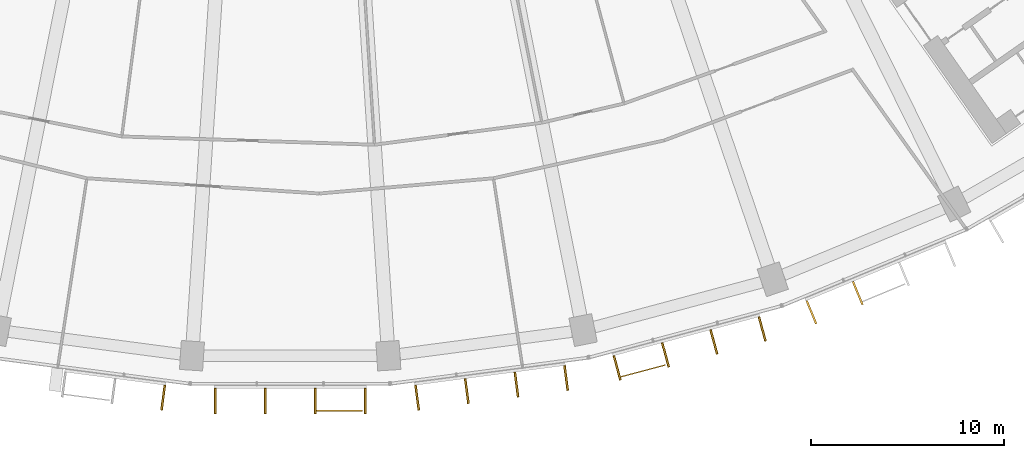
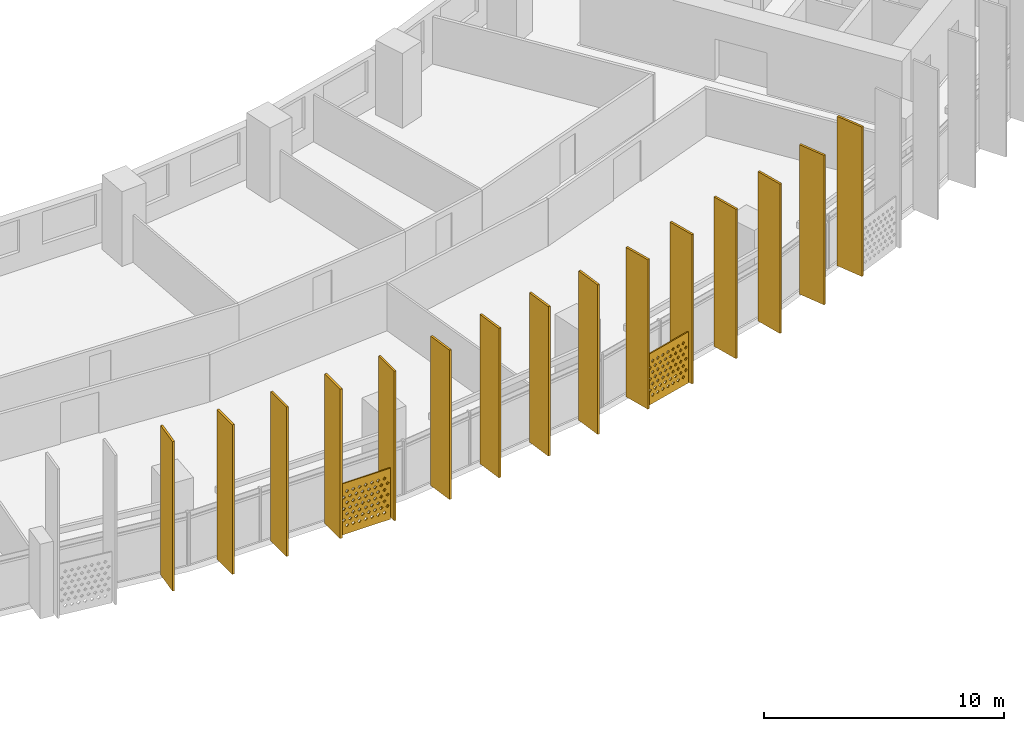
# One storey, part 27 of 30: 17 shading devices.
"""IFC4 building model written with IfcOpenShell, lengths in metres."""

from ifc_helpers import new_model, si_unit, direction, frame, origin, origin_2d, place, context, subcontext, project, spatial, polyline, rectangle, outline, extrude, material, material_profile, profile_set, type_object, element, save


model = new_model("IFC4")

# Units and contexts
model_context = context("Model", 3, precision=1e-05, world=origin(), true_north=direction((0.0, 1.0)))
body_context = subcontext(model_context, "Body", "Model", "MODEL_VIEW")
ifc_project = project(units=[si_unit("LENGTHUNIT", "METRE"), si_unit("AREAUNIT", "SQUARE_METRE"), si_unit("VOLUMEUNIT", "CUBIC_METRE"), si_unit("PLANEANGLEUNIT", "RADIAN"), si_unit("MASSUNIT", "GRAM", prefix="KILO")], contexts=[model_context])

# Site, building, storey
site_placement = place(None, origin())
site = spatial("IfcSite", under=ifc_project, at=site_placement, CompositionType="ELEMENT")
building_placement = place(site_placement, origin())
building = spatial("IfcBuilding", under=site, at=building_placement, Name="Qamariyya Broadcast Tower", CompositionType="ELEMENT")
storey_placement = place(building_placement, frame((0.0, 0.0, 102.5)))
storey = spatial("IfcBuildingStorey", under=building, at=storey_placement, Name="L22", CompositionType="ELEMENT", Elevation=102.5)

# Shading devices
ifc_material_1 = material(Name="Perforated glazed terracotta", Category="masonry")
ifc_material_profile_1 = material_profile(ifc_material_1, outline(polyline([(-1.199951171875, -1.300048828125), (1.199951171875, -1.300048828125), (1.199951171875, 1.300048828125), (-1.199951171875, 1.300048828125), (-1.199951171875, -1.300048828125)]), holes=[polyline([(-0.81494140625, -0.86669921875), (-0.89990234375, -0.78173828125), (-0.985107421875, -0.86669921875), (-0.89990234375, -0.95166015625), (-0.81494140625, -0.86669921875)]), polyline([(-0.514892578125, -0.86669921875), (-0.60009765625, -0.78173828125), (-0.68505859375, -0.86669921875), (-0.60009765625, -0.95166015625), (-0.514892578125, -0.86669921875)]), polyline([(-0.215087890625, -0.86669921875), (-0.300048828125, -0.78173828125), (-0.385009765625, -0.86669921875), (-0.300048828125, -0.95166015625), (-0.215087890625, -0.86669921875)]), polyline([(0.0849609375, -0.86669921875), (0.0, -0.78173828125), (-0.0849609375, -0.86669921875), (0.0, -0.95166015625), (0.0849609375, -0.86669921875)]), polyline([(0.385009765625, -0.86669921875), (0.300048828125, -0.78173828125), (0.215087890625, -0.86669921875), (0.300048828125, -0.95166015625), (0.385009765625, -0.86669921875)]), polyline([(0.68505859375, -0.86669921875), (0.60009765625, -0.78173828125), (0.514892578125, -0.86669921875), (0.60009765625, -0.95166015625), (0.68505859375, -0.86669921875)]), polyline([(0.985107421875, -0.86669921875), (0.89990234375, -0.78173828125), (0.81494140625, -0.86669921875), (0.89990234375, -0.95166015625), (0.985107421875, -0.86669921875)]), polyline([(-0.965087890625, -0.577880859375), (-1.050048828125, -0.49267578125), (-1.135009765625, -0.577880859375), (-1.050048828125, -0.662841796875), (-0.965087890625, -0.577880859375)]), polyline([(-0.6650390625, -0.577880859375), (-0.75, -0.49267578125), (-0.8349609375, -0.577880859375), (-0.75, -0.662841796875), (-0.6650390625, -0.577880859375)]), polyline([(-0.364990234375, -0.577880859375), (-0.449951171875, -0.49267578125), (-0.534912109375, -0.577880859375), (-0.449951171875, -0.662841796875), (-0.364990234375, -0.577880859375)]), polyline([(-0.06494140625, -0.577880859375), (-0.14990234375, -0.49267578125), (-0.235107421875, -0.577880859375), (-0.14990234375, -0.662841796875), (-0.06494140625, -0.577880859375)]), polyline([(0.235107421875, -0.577880859375), (0.14990234375, -0.49267578125), (0.06494140625, -0.577880859375), (0.14990234375, -0.662841796875), (0.235107421875, -0.577880859375)]), polyline([(0.534912109375, -0.577880859375), (0.449951171875, -0.49267578125), (0.364990234375, -0.577880859375), (0.449951171875, -0.662841796875), (0.534912109375, -0.577880859375)]), polyline([(0.8349609375, -0.577880859375), (0.75, -0.49267578125), (0.6650390625, -0.577880859375), (0.75, -0.662841796875), (0.8349609375, -0.577880859375)]), polyline([(1.135009765625, -0.577880859375), (1.050048828125, -0.49267578125), (0.965087890625, -0.577880859375), (1.050048828125, -0.662841796875), (1.135009765625, -0.577880859375)]), polyline([(-0.81494140625, -0.288818359375), (-0.89990234375, -0.203857421875), (-0.985107421875, -0.288818359375), (-0.89990234375, -0.373779296875), (-0.81494140625, -0.288818359375)]), polyline([(-0.514892578125, -0.288818359375), (-0.60009765625, -0.203857421875), (-0.68505859375, -0.288818359375), (-0.60009765625, -0.373779296875), (-0.514892578125, -0.288818359375)]), polyline([(-0.215087890625, -0.288818359375), (-0.300048828125, -0.203857421875), (-0.385009765625, -0.288818359375), (-0.300048828125, -0.373779296875), (-0.215087890625, -0.288818359375)]), polyline([(0.0849609375, -0.288818359375), (0.0, -0.203857421875), (-0.0849609375, -0.288818359375), (0.0, -0.373779296875), (0.0849609375, -0.288818359375)]), polyline([(0.385009765625, -0.288818359375), (0.300048828125, -0.203857421875), (0.215087890625, -0.288818359375), (0.300048828125, -0.373779296875), (0.385009765625, -0.288818359375)]), polyline([(0.68505859375, -0.288818359375), (0.60009765625, -0.203857421875), (0.514892578125, -0.288818359375), (0.60009765625, -0.373779296875), (0.68505859375, -0.288818359375)]), polyline([(0.985107421875, -0.288818359375), (0.89990234375, -0.203857421875), (0.81494140625, -0.288818359375), (0.89990234375, -0.373779296875), (0.985107421875, -0.288818359375)]), polyline([(-0.965087890625, 0.0), (-1.050048828125, 0.0849609375), (-1.135009765625, 0.0), (-1.050048828125, -0.0849609375), (-0.965087890625, 0.0)]), polyline([(-0.6650390625, 0.0), (-0.75, 0.0849609375), (-0.8349609375, 0.0), (-0.75, -0.0849609375), (-0.6650390625, 0.0)]), polyline([(-0.364990234375, 0.0), (-0.449951171875, 0.0849609375), (-0.534912109375, 0.0), (-0.449951171875, -0.0849609375), (-0.364990234375, 0.0)]), polyline([(-0.06494140625, 0.0), (-0.14990234375, 0.0849609375), (-0.235107421875, 0.0), (-0.14990234375, -0.0849609375), (-0.06494140625, 0.0)]), polyline([(0.235107421875, 0.0), (0.14990234375, 0.0849609375), (0.06494140625, 0.0), (0.14990234375, -0.0849609375), (0.235107421875, 0.0)]), polyline([(0.534912109375, 0.0), (0.449951171875, 0.0849609375), (0.364990234375, 0.0), (0.449951171875, -0.0849609375), (0.534912109375, 0.0)]), polyline([(0.8349609375, 0.0), (0.75, 0.0849609375), (0.6650390625, 0.0), (0.75, -0.0849609375), (0.8349609375, 0.0)]), polyline([(1.135009765625, 0.0), (1.050048828125, 0.0849609375), (0.965087890625, 0.0), (1.050048828125, -0.0849609375), (1.135009765625, 0.0)]), polyline([(-0.81494140625, 0.288818359375), (-0.89990234375, 0.373779296875), (-0.985107421875, 0.288818359375), (-0.89990234375, 0.203857421875), (-0.81494140625, 0.288818359375)]), polyline([(-0.514892578125, 0.288818359375), (-0.60009765625, 0.373779296875), (-0.68505859375, 0.288818359375), (-0.60009765625, 0.203857421875), (-0.514892578125, 0.288818359375)]), polyline([(-0.215087890625, 0.288818359375), (-0.300048828125, 0.373779296875), (-0.385009765625, 0.288818359375), (-0.300048828125, 0.203857421875), (-0.215087890625, 0.288818359375)]), polyline([(0.0849609375, 0.288818359375), (0.0, 0.373779296875), (-0.0849609375, 0.288818359375), (0.0, 0.203857421875), (0.0849609375, 0.288818359375)]), polyline([(0.385009765625, 0.288818359375), (0.300048828125, 0.373779296875), (0.215087890625, 0.288818359375), (0.300048828125, 0.203857421875), (0.385009765625, 0.288818359375)]), polyline([(0.68505859375, 0.288818359375), (0.60009765625, 0.373779296875), (0.514892578125, 0.288818359375), (0.60009765625, 0.203857421875), (0.68505859375, 0.288818359375)]), polyline([(0.985107421875, 0.288818359375), (0.89990234375, 0.373779296875), (0.81494140625, 0.288818359375), (0.89990234375, 0.203857421875), (0.985107421875, 0.288818359375)]), polyline([(-0.965087890625, 0.577880859375), (-1.050048828125, 0.662841796875), (-1.135009765625, 0.577880859375), (-1.050048828125, 0.49267578125), (-0.965087890625, 0.577880859375)]), polyline([(-0.6650390625, 0.577880859375), (-0.75, 0.662841796875), (-0.8349609375, 0.577880859375), (-0.75, 0.49267578125), (-0.6650390625, 0.577880859375)]), polyline([(-0.364990234375, 0.577880859375), (-0.449951171875, 0.662841796875), (-0.534912109375, 0.577880859375), (-0.449951171875, 0.49267578125), (-0.364990234375, 0.577880859375)]), polyline([(-0.06494140625, 0.577880859375), (-0.14990234375, 0.662841796875), (-0.235107421875, 0.577880859375), (-0.14990234375, 0.49267578125), (-0.06494140625, 0.577880859375)]), polyline([(0.235107421875, 0.577880859375), (0.14990234375, 0.662841796875), (0.06494140625, 0.577880859375), (0.14990234375, 0.49267578125), (0.235107421875, 0.577880859375)]), polyline([(0.534912109375, 0.577880859375), (0.449951171875, 0.662841796875), (0.364990234375, 0.577880859375), (0.449951171875, 0.49267578125), (0.534912109375, 0.577880859375)]), polyline([(0.8349609375, 0.577880859375), (0.75, 0.662841796875), (0.6650390625, 0.577880859375), (0.75, 0.49267578125), (0.8349609375, 0.577880859375)]), polyline([(1.135009765625, 0.577880859375), (1.050048828125, 0.662841796875), (0.965087890625, 0.577880859375), (1.050048828125, 0.49267578125), (1.135009765625, 0.577880859375)]), polyline([(-0.81494140625, 0.86669921875), (-0.89990234375, 0.95166015625), (-0.985107421875, 0.86669921875), (-0.89990234375, 0.78173828125), (-0.81494140625, 0.86669921875)]), polyline([(-0.514892578125, 0.86669921875), (-0.60009765625, 0.95166015625), (-0.68505859375, 0.86669921875), (-0.60009765625, 0.78173828125), (-0.514892578125, 0.86669921875)]), polyline([(-0.215087890625, 0.86669921875), (-0.300048828125, 0.95166015625), (-0.385009765625, 0.86669921875), (-0.300048828125, 0.78173828125), (-0.215087890625, 0.86669921875)]), polyline([(0.0849609375, 0.86669921875), (0.0, 0.95166015625), (-0.0849609375, 0.86669921875), (0.0, 0.78173828125), (0.0849609375, 0.86669921875)]), polyline([(0.385009765625, 0.86669921875), (0.300048828125, 0.95166015625), (0.215087890625, 0.86669921875), (0.300048828125, 0.78173828125), (0.385009765625, 0.86669921875)]), polyline([(0.68505859375, 0.86669921875), (0.60009765625, 0.95166015625), (0.514892578125, 0.86669921875), (0.60009765625, 0.78173828125), (0.68505859375, 0.86669921875)]), polyline([(0.985107421875, 0.86669921875), (0.89990234375, 0.95166015625), (0.81494140625, 0.86669921875), (0.89990234375, 0.78173828125), (0.985107421875, 0.86669921875)])]))
ifc_profile_set_1 = profile_set([ifc_material_profile_1], Name="Perforated glazed terracotta")
shading_device_type_1 = type_object("IfcShadingDeviceType", Name="Perforated terracotta screen 2400 x 2600", PredefinedType="USERDEFINED", material=ifc_profile_set_1)
shading_device_1_placement = place(storey_placement, frame((2.546630859375, -80.400146484375, 1.35009765625), z_axis=(0.0, -1.0, 0.0), x_axis=(1.0, 0.0, 0.0)))
element("IfcShadingDevice", 1, at=shading_device_1_placement, inside=storey, type_object=shading_device_type_1, Name="e-scr-L22-09-2", ObjectType="SCREEN", PredefinedType="USERDEFINED", context=body_context, shape_type="SweptSolid", body=[
    extrude(outline(polyline([(-1.199951171875, -1.300048828125), (1.199951171875, -1.300048828125), (1.199951171875, 1.300048828125), (-1.199951171875, 1.300048828125), (-1.199951171875, -1.300048828125)]), holes=[polyline([(-0.81494140625, -0.86669921875), (-0.89990234375, -0.78173828125), (-0.985107421875, -0.86669921875), (-0.89990234375, -0.95166015625), (-0.81494140625, -0.86669921875)]), polyline([(-0.514892578125, -0.86669921875), (-0.60009765625, -0.78173828125), (-0.68505859375, -0.86669921875), (-0.60009765625, -0.95166015625), (-0.514892578125, -0.86669921875)]), polyline([(-0.215087890625, -0.86669921875), (-0.300048828125, -0.78173828125), (-0.385009765625, -0.86669921875), (-0.300048828125, -0.95166015625), (-0.215087890625, -0.86669921875)]), polyline([(0.0849609375, -0.86669921875), (0.0, -0.78173828125), (-0.0849609375, -0.86669921875), (0.0, -0.95166015625), (0.0849609375, -0.86669921875)]), polyline([(0.385009765625, -0.86669921875), (0.300048828125, -0.78173828125), (0.215087890625, -0.86669921875), (0.300048828125, -0.95166015625), (0.385009765625, -0.86669921875)]), polyline([(0.68505859375, -0.86669921875), (0.60009765625, -0.78173828125), (0.514892578125, -0.86669921875), (0.60009765625, -0.95166015625), (0.68505859375, -0.86669921875)]), polyline([(0.985107421875, -0.86669921875), (0.89990234375, -0.78173828125), (0.81494140625, -0.86669921875), (0.89990234375, -0.95166015625), (0.985107421875, -0.86669921875)]), polyline([(-0.965087890625, -0.577880859375), (-1.050048828125, -0.49267578125), (-1.135009765625, -0.577880859375), (-1.050048828125, -0.662841796875), (-0.965087890625, -0.577880859375)]), polyline([(-0.6650390625, -0.577880859375), (-0.75, -0.49267578125), (-0.8349609375, -0.577880859375), (-0.75, -0.662841796875), (-0.6650390625, -0.577880859375)]), polyline([(-0.364990234375, -0.577880859375), (-0.449951171875, -0.49267578125), (-0.534912109375, -0.577880859375), (-0.449951171875, -0.662841796875), (-0.364990234375, -0.577880859375)]), polyline([(-0.06494140625, -0.577880859375), (-0.14990234375, -0.49267578125), (-0.235107421875, -0.577880859375), (-0.14990234375, -0.662841796875), (-0.06494140625, -0.577880859375)]), polyline([(0.235107421875, -0.577880859375), (0.14990234375, -0.49267578125), (0.06494140625, -0.577880859375), (0.14990234375, -0.662841796875), (0.235107421875, -0.577880859375)]), polyline([(0.534912109375, -0.577880859375), (0.449951171875, -0.49267578125), (0.364990234375, -0.577880859375), (0.449951171875, -0.662841796875), (0.534912109375, -0.577880859375)]), polyline([(0.8349609375, -0.577880859375), (0.75, -0.49267578125), (0.6650390625, -0.577880859375), (0.75, -0.662841796875), (0.8349609375, -0.577880859375)]), polyline([(1.135009765625, -0.577880859375), (1.050048828125, -0.49267578125), (0.965087890625, -0.577880859375), (1.050048828125, -0.662841796875), (1.135009765625, -0.577880859375)]), polyline([(-0.81494140625, -0.288818359375), (-0.89990234375, -0.203857421875), (-0.985107421875, -0.288818359375), (-0.89990234375, -0.373779296875), (-0.81494140625, -0.288818359375)]), polyline([(-0.514892578125, -0.288818359375), (-0.60009765625, -0.203857421875), (-0.68505859375, -0.288818359375), (-0.60009765625, -0.373779296875), (-0.514892578125, -0.288818359375)]), polyline([(-0.215087890625, -0.288818359375), (-0.300048828125, -0.203857421875), (-0.385009765625, -0.288818359375), (-0.300048828125, -0.373779296875), (-0.215087890625, -0.288818359375)]), polyline([(0.0849609375, -0.288818359375), (0.0, -0.203857421875), (-0.0849609375, -0.288818359375), (0.0, -0.373779296875), (0.0849609375, -0.288818359375)]), polyline([(0.385009765625, -0.288818359375), (0.300048828125, -0.203857421875), (0.215087890625, -0.288818359375), (0.300048828125, -0.373779296875), (0.385009765625, -0.288818359375)]), polyline([(0.68505859375, -0.288818359375), (0.60009765625, -0.203857421875), (0.514892578125, -0.288818359375), (0.60009765625, -0.373779296875), (0.68505859375, -0.288818359375)]), polyline([(0.985107421875, -0.288818359375), (0.89990234375, -0.203857421875), (0.81494140625, -0.288818359375), (0.89990234375, -0.373779296875), (0.985107421875, -0.288818359375)]), polyline([(-0.965087890625, 0.0), (-1.050048828125, 0.0849609375), (-1.135009765625, 0.0), (-1.050048828125, -0.0849609375), (-0.965087890625, 0.0)]), polyline([(-0.6650390625, 0.0), (-0.75, 0.0849609375), (-0.8349609375, 0.0), (-0.75, -0.0849609375), (-0.6650390625, 0.0)]), polyline([(-0.364990234375, 0.0), (-0.449951171875, 0.0849609375), (-0.534912109375, 0.0), (-0.449951171875, -0.0849609375), (-0.364990234375, 0.0)]), polyline([(-0.06494140625, 0.0), (-0.14990234375, 0.0849609375), (-0.235107421875, 0.0), (-0.14990234375, -0.0849609375), (-0.06494140625, 0.0)]), polyline([(0.235107421875, 0.0), (0.14990234375, 0.0849609375), (0.06494140625, 0.0), (0.14990234375, -0.0849609375), (0.235107421875, 0.0)]), polyline([(0.534912109375, 0.0), (0.449951171875, 0.0849609375), (0.364990234375, 0.0), (0.449951171875, -0.0849609375), (0.534912109375, 0.0)]), polyline([(0.8349609375, 0.0), (0.75, 0.0849609375), (0.6650390625, 0.0), (0.75, -0.0849609375), (0.8349609375, 0.0)]), polyline([(1.135009765625, 0.0), (1.050048828125, 0.0849609375), (0.965087890625, 0.0), (1.050048828125, -0.0849609375), (1.135009765625, 0.0)]), polyline([(-0.81494140625, 0.288818359375), (-0.89990234375, 0.373779296875), (-0.985107421875, 0.288818359375), (-0.89990234375, 0.203857421875), (-0.81494140625, 0.288818359375)]), polyline([(-0.514892578125, 0.288818359375), (-0.60009765625, 0.373779296875), (-0.68505859375, 0.288818359375), (-0.60009765625, 0.203857421875), (-0.514892578125, 0.288818359375)]), polyline([(-0.215087890625, 0.288818359375), (-0.300048828125, 0.373779296875), (-0.385009765625, 0.288818359375), (-0.300048828125, 0.203857421875), (-0.215087890625, 0.288818359375)]), polyline([(0.0849609375, 0.288818359375), (0.0, 0.373779296875), (-0.0849609375, 0.288818359375), (0.0, 0.203857421875), (0.0849609375, 0.288818359375)]), polyline([(0.385009765625, 0.288818359375), (0.300048828125, 0.373779296875), (0.215087890625, 0.288818359375), (0.300048828125, 0.203857421875), (0.385009765625, 0.288818359375)]), polyline([(0.68505859375, 0.288818359375), (0.60009765625, 0.373779296875), (0.514892578125, 0.288818359375), (0.60009765625, 0.203857421875), (0.68505859375, 0.288818359375)]), polyline([(0.985107421875, 0.288818359375), (0.89990234375, 0.373779296875), (0.81494140625, 0.288818359375), (0.89990234375, 0.203857421875), (0.985107421875, 0.288818359375)]), polyline([(-0.965087890625, 0.577880859375), (-1.050048828125, 0.662841796875), (-1.135009765625, 0.577880859375), (-1.050048828125, 0.49267578125), (-0.965087890625, 0.577880859375)]), polyline([(-0.6650390625, 0.577880859375), (-0.75, 0.662841796875), (-0.8349609375, 0.577880859375), (-0.75, 0.49267578125), (-0.6650390625, 0.577880859375)]), polyline([(-0.364990234375, 0.577880859375), (-0.449951171875, 0.662841796875), (-0.534912109375, 0.577880859375), (-0.449951171875, 0.49267578125), (-0.364990234375, 0.577880859375)]), polyline([(-0.06494140625, 0.577880859375), (-0.14990234375, 0.662841796875), (-0.235107421875, 0.577880859375), (-0.14990234375, 0.49267578125), (-0.06494140625, 0.577880859375)]), polyline([(0.235107421875, 0.577880859375), (0.14990234375, 0.662841796875), (0.06494140625, 0.577880859375), (0.14990234375, 0.49267578125), (0.235107421875, 0.577880859375)]), polyline([(0.534912109375, 0.577880859375), (0.449951171875, 0.662841796875), (0.364990234375, 0.577880859375), (0.449951171875, 0.49267578125), (0.534912109375, 0.577880859375)]), polyline([(0.8349609375, 0.577880859375), (0.75, 0.662841796875), (0.6650390625, 0.577880859375), (0.75, 0.49267578125), (0.8349609375, 0.577880859375)]), polyline([(1.135009765625, 0.577880859375), (1.050048828125, 0.662841796875), (0.965087890625, 0.577880859375), (1.050048828125, 0.49267578125), (1.135009765625, 0.577880859375)]), polyline([(-0.81494140625, 0.86669921875), (-0.89990234375, 0.95166015625), (-0.985107421875, 0.86669921875), (-0.89990234375, 0.78173828125), (-0.81494140625, 0.86669921875)]), polyline([(-0.514892578125, 0.86669921875), (-0.60009765625, 0.95166015625), (-0.68505859375, 0.86669921875), (-0.60009765625, 0.78173828125), (-0.514892578125, 0.86669921875)]), polyline([(-0.215087890625, 0.86669921875), (-0.300048828125, 0.95166015625), (-0.385009765625, 0.86669921875), (-0.300048828125, 0.78173828125), (-0.215087890625, 0.86669921875)]), polyline([(0.0849609375, 0.86669921875), (0.0, 0.95166015625), (-0.0849609375, 0.86669921875), (0.0, 0.78173828125), (0.0849609375, 0.86669921875)]), polyline([(0.385009765625, 0.86669921875), (0.300048828125, 0.95166015625), (0.215087890625, 0.86669921875), (0.300048828125, 0.78173828125), (0.385009765625, 0.86669921875)]), polyline([(0.68505859375, 0.86669921875), (0.60009765625, 0.95166015625), (0.514892578125, 0.86669921875), (0.60009765625, 0.78173828125), (0.68505859375, 0.86669921875)]), polyline([(0.985107421875, 0.86669921875), (0.89990234375, 0.95166015625), (0.81494140625, 0.86669921875), (0.89990234375, 0.78173828125), (0.985107421875, 0.86669921875)])]), origin(), (0.0, 0.0, 1.0), 0.06005859375),
])
shading_device_2_placement = place(storey_placement, frame((18.25927734375, -78.343994140625, 1.35009765625), z_axis=(0.256901156343, -0.966437683387, 0.0), x_axis=(0.966437683387, 0.256901156343, 0.0)))
element("IfcShadingDevice", 2, at=shading_device_2_placement, inside=storey, type_object=shading_device_type_1, Name="e-scr-L22-11-0", ObjectType="SCREEN", PredefinedType="USERDEFINED", context=body_context, shape_type="SweptSolid", body=[
    extrude(outline(polyline([(-1.199951171875, -1.300048828125), (1.199951171875, -1.300048828125), (1.199951171875, 1.300048828125), (-1.199951171875, 1.300048828125), (-1.199951171875, -1.300048828125)]), holes=[polyline([(-0.81494140625, -0.86669921875), (-0.89990234375, -0.78173828125), (-0.985107421875, -0.86669921875), (-0.89990234375, -0.95166015625), (-0.81494140625, -0.86669921875)]), polyline([(-0.514892578125, -0.86669921875), (-0.60009765625, -0.78173828125), (-0.68505859375, -0.86669921875), (-0.60009765625, -0.95166015625), (-0.514892578125, -0.86669921875)]), polyline([(-0.215087890625, -0.86669921875), (-0.300048828125, -0.78173828125), (-0.385009765625, -0.86669921875), (-0.300048828125, -0.95166015625), (-0.215087890625, -0.86669921875)]), polyline([(0.0849609375, -0.86669921875), (0.0, -0.78173828125), (-0.0849609375, -0.86669921875), (0.0, -0.95166015625), (0.0849609375, -0.86669921875)]), polyline([(0.385009765625, -0.86669921875), (0.300048828125, -0.78173828125), (0.215087890625, -0.86669921875), (0.300048828125, -0.95166015625), (0.385009765625, -0.86669921875)]), polyline([(0.68505859375, -0.86669921875), (0.60009765625, -0.78173828125), (0.514892578125, -0.86669921875), (0.60009765625, -0.95166015625), (0.68505859375, -0.86669921875)]), polyline([(0.985107421875, -0.86669921875), (0.89990234375, -0.78173828125), (0.81494140625, -0.86669921875), (0.89990234375, -0.95166015625), (0.985107421875, -0.86669921875)]), polyline([(-0.965087890625, -0.577880859375), (-1.050048828125, -0.49267578125), (-1.135009765625, -0.577880859375), (-1.050048828125, -0.662841796875), (-0.965087890625, -0.577880859375)]), polyline([(-0.6650390625, -0.577880859375), (-0.75, -0.49267578125), (-0.8349609375, -0.577880859375), (-0.75, -0.662841796875), (-0.6650390625, -0.577880859375)]), polyline([(-0.364990234375, -0.577880859375), (-0.449951171875, -0.49267578125), (-0.534912109375, -0.577880859375), (-0.449951171875, -0.662841796875), (-0.364990234375, -0.577880859375)]), polyline([(-0.06494140625, -0.577880859375), (-0.14990234375, -0.49267578125), (-0.235107421875, -0.577880859375), (-0.14990234375, -0.662841796875), (-0.06494140625, -0.577880859375)]), polyline([(0.235107421875, -0.577880859375), (0.14990234375, -0.49267578125), (0.06494140625, -0.577880859375), (0.14990234375, -0.662841796875), (0.235107421875, -0.577880859375)]), polyline([(0.534912109375, -0.577880859375), (0.449951171875, -0.49267578125), (0.364990234375, -0.577880859375), (0.449951171875, -0.662841796875), (0.534912109375, -0.577880859375)]), polyline([(0.8349609375, -0.577880859375), (0.75, -0.49267578125), (0.6650390625, -0.577880859375), (0.75, -0.662841796875), (0.8349609375, -0.577880859375)]), polyline([(1.135009765625, -0.577880859375), (1.050048828125, -0.49267578125), (0.965087890625, -0.577880859375), (1.050048828125, -0.662841796875), (1.135009765625, -0.577880859375)]), polyline([(-0.81494140625, -0.288818359375), (-0.89990234375, -0.203857421875), (-0.985107421875, -0.288818359375), (-0.89990234375, -0.373779296875), (-0.81494140625, -0.288818359375)]), polyline([(-0.514892578125, -0.288818359375), (-0.60009765625, -0.203857421875), (-0.68505859375, -0.288818359375), (-0.60009765625, -0.373779296875), (-0.514892578125, -0.288818359375)]), polyline([(-0.215087890625, -0.288818359375), (-0.300048828125, -0.203857421875), (-0.385009765625, -0.288818359375), (-0.300048828125, -0.373779296875), (-0.215087890625, -0.288818359375)]), polyline([(0.0849609375, -0.288818359375), (0.0, -0.203857421875), (-0.0849609375, -0.288818359375), (0.0, -0.373779296875), (0.0849609375, -0.288818359375)]), polyline([(0.385009765625, -0.288818359375), (0.300048828125, -0.203857421875), (0.215087890625, -0.288818359375), (0.300048828125, -0.373779296875), (0.385009765625, -0.288818359375)]), polyline([(0.68505859375, -0.288818359375), (0.60009765625, -0.203857421875), (0.514892578125, -0.288818359375), (0.60009765625, -0.373779296875), (0.68505859375, -0.288818359375)]), polyline([(0.985107421875, -0.288818359375), (0.89990234375, -0.203857421875), (0.81494140625, -0.288818359375), (0.89990234375, -0.373779296875), (0.985107421875, -0.288818359375)]), polyline([(-0.965087890625, 0.0), (-1.050048828125, 0.0849609375), (-1.135009765625, 0.0), (-1.050048828125, -0.0849609375), (-0.965087890625, 0.0)]), polyline([(-0.6650390625, 0.0), (-0.75, 0.0849609375), (-0.8349609375, 0.0), (-0.75, -0.0849609375), (-0.6650390625, 0.0)]), polyline([(-0.364990234375, 0.0), (-0.449951171875, 0.0849609375), (-0.534912109375, 0.0), (-0.449951171875, -0.0849609375), (-0.364990234375, 0.0)]), polyline([(-0.06494140625, 0.0), (-0.14990234375, 0.0849609375), (-0.235107421875, 0.0), (-0.14990234375, -0.0849609375), (-0.06494140625, 0.0)]), polyline([(0.235107421875, 0.0), (0.14990234375, 0.0849609375), (0.06494140625, 0.0), (0.14990234375, -0.0849609375), (0.235107421875, 0.0)]), polyline([(0.534912109375, 0.0), (0.449951171875, 0.0849609375), (0.364990234375, 0.0), (0.449951171875, -0.0849609375), (0.534912109375, 0.0)]), polyline([(0.8349609375, 0.0), (0.75, 0.0849609375), (0.6650390625, 0.0), (0.75, -0.0849609375), (0.8349609375, 0.0)]), polyline([(1.135009765625, 0.0), (1.050048828125, 0.0849609375), (0.965087890625, 0.0), (1.050048828125, -0.0849609375), (1.135009765625, 0.0)]), polyline([(-0.81494140625, 0.288818359375), (-0.89990234375, 0.373779296875), (-0.985107421875, 0.288818359375), (-0.89990234375, 0.203857421875), (-0.81494140625, 0.288818359375)]), polyline([(-0.514892578125, 0.288818359375), (-0.60009765625, 0.373779296875), (-0.68505859375, 0.288818359375), (-0.60009765625, 0.203857421875), (-0.514892578125, 0.288818359375)]), polyline([(-0.215087890625, 0.288818359375), (-0.300048828125, 0.373779296875), (-0.385009765625, 0.288818359375), (-0.300048828125, 0.203857421875), (-0.215087890625, 0.288818359375)]), polyline([(0.0849609375, 0.288818359375), (0.0, 0.373779296875), (-0.0849609375, 0.288818359375), (0.0, 0.203857421875), (0.0849609375, 0.288818359375)]), polyline([(0.385009765625, 0.288818359375), (0.300048828125, 0.373779296875), (0.215087890625, 0.288818359375), (0.300048828125, 0.203857421875), (0.385009765625, 0.288818359375)]), polyline([(0.68505859375, 0.288818359375), (0.60009765625, 0.373779296875), (0.514892578125, 0.288818359375), (0.60009765625, 0.203857421875), (0.68505859375, 0.288818359375)]), polyline([(0.985107421875, 0.288818359375), (0.89990234375, 0.373779296875), (0.81494140625, 0.288818359375), (0.89990234375, 0.203857421875), (0.985107421875, 0.288818359375)]), polyline([(-0.965087890625, 0.577880859375), (-1.050048828125, 0.662841796875), (-1.135009765625, 0.577880859375), (-1.050048828125, 0.49267578125), (-0.965087890625, 0.577880859375)]), polyline([(-0.6650390625, 0.577880859375), (-0.75, 0.662841796875), (-0.8349609375, 0.577880859375), (-0.75, 0.49267578125), (-0.6650390625, 0.577880859375)]), polyline([(-0.364990234375, 0.577880859375), (-0.449951171875, 0.662841796875), (-0.534912109375, 0.577880859375), (-0.449951171875, 0.49267578125), (-0.364990234375, 0.577880859375)]), polyline([(-0.06494140625, 0.577880859375), (-0.14990234375, 0.662841796875), (-0.235107421875, 0.577880859375), (-0.14990234375, 0.49267578125), (-0.06494140625, 0.577880859375)]), polyline([(0.235107421875, 0.577880859375), (0.14990234375, 0.662841796875), (0.06494140625, 0.577880859375), (0.14990234375, 0.49267578125), (0.235107421875, 0.577880859375)]), polyline([(0.534912109375, 0.577880859375), (0.449951171875, 0.662841796875), (0.364990234375, 0.577880859375), (0.449951171875, 0.49267578125), (0.534912109375, 0.577880859375)]), polyline([(0.8349609375, 0.577880859375), (0.75, 0.662841796875), (0.6650390625, 0.577880859375), (0.75, 0.49267578125), (0.8349609375, 0.577880859375)]), polyline([(1.135009765625, 0.577880859375), (1.050048828125, 0.662841796875), (0.965087890625, 0.577880859375), (1.050048828125, 0.49267578125), (1.135009765625, 0.577880859375)]), polyline([(-0.81494140625, 0.86669921875), (-0.89990234375, 0.95166015625), (-0.985107421875, 0.86669921875), (-0.89990234375, 0.78173828125), (-0.81494140625, 0.86669921875)]), polyline([(-0.514892578125, 0.86669921875), (-0.60009765625, 0.95166015625), (-0.68505859375, 0.86669921875), (-0.60009765625, 0.78173828125), (-0.514892578125, 0.86669921875)]), polyline([(-0.215087890625, 0.86669921875), (-0.300048828125, 0.95166015625), (-0.385009765625, 0.86669921875), (-0.300048828125, 0.78173828125), (-0.215087890625, 0.86669921875)]), polyline([(0.0849609375, 0.86669921875), (0.0, 0.95166015625), (-0.0849609375, 0.86669921875), (0.0, 0.78173828125), (0.0849609375, 0.86669921875)]), polyline([(0.385009765625, 0.86669921875), (0.300048828125, 0.95166015625), (0.215087890625, 0.86669921875), (0.300048828125, 0.78173828125), (0.385009765625, 0.86669921875)]), polyline([(0.68505859375, 0.86669921875), (0.60009765625, 0.95166015625), (0.514892578125, 0.86669921875), (0.60009765625, 0.78173828125), (0.68505859375, 0.86669921875)]), polyline([(0.985107421875, 0.86669921875), (0.89990234375, 0.95166015625), (0.81494140625, 0.86669921875), (0.89990234375, 0.78173828125), (0.985107421875, 0.86669921875)])]), origin(), (0.0, 0.0, 1.0), 0.059814453125),
])
ifc_material_2 = material(Name="Glazed terracotta", Category="masonry")
ifc_material_profile_2 = material_profile(ifc_material_2, rectangle(XDim=1.300048828125, YDim=0.10009765625, at=origin_2d()))
ifc_profile_set_2 = profile_set([ifc_material_profile_2], Name="Glazed terracotta")
shading_device_type_2 = type_object("IfcShadingDeviceType", Name="Terracotta fin 100 x 1300", PredefinedType="USERDEFINED", material=ifc_profile_set_2)
for number, where, z_axis, x_axis, name in (
    (3, (-6.576416015625, -79.754150390625, 0.0), (0.0, 0.0, 1.0), (-0.13052619222, -0.991444861374, 0.0), "e-fin-L22-08-3"),
    (4, (-3.889892578125, -79.93017578125, 0.0), (0.0, 0.0, 1.0), (0.0, -1.0, 0.0), "e-fin-L22-09-0"),
    (5, (-1.296630859375, -79.93017578125, 0.0), (0.0, 0.0, 1.0), (0.0, -1.0, 0.0), "e-fin-L22-09-1"),
    (6, (1.296630859375, -79.93017578125, 0.0), (0.0, 0.0, 1.0), (0.0, -1.0, 0.0), "e-fin-L22-09-2"),
    (7, (3.889892578125, -79.93017578125, 0.0), (0.0, 0.0, 1.0), (0.0, -1.0, 0.0), "e-fin-L22-09-3"),
    (8, (6.576416015625, -79.754150390625, 0.0), (0.0, 0.0, 1.0), (0.13052619222, -0.991444861374, 0.0), "e-fin-L22-10-0"),
    (9, (9.1474609375, -79.41552734375, 0.0), (0.0, 0.0, 1.0), (0.13052619222, -0.991444861374, 0.0), "e-fin-L22-10-1"),
    (10, (11.718505859375, -79.0771484375, 0.0), (0.0, 0.0, 1.0), (0.13052619222, -0.991444861374, 0.0), "e-fin-L22-10-2"),
    (11, (14.28955078125, -78.73876953125, 0.0), (0.0, 0.0, 1.0), (0.13052619222, -0.991444861374, 0.0), "e-fin-L22-10-3"),
    (12, (16.93017578125, -78.21337890625, 0.0), (0.0, 0.0, 1.0), (0.258819045103, -0.965925826289, 0.0), "e-fin-L22-11-0"),
    (13, (19.43505859375, -77.542236328125, 0.0), (0.0, 0.0, 1.0), (0.258819045103, -0.965925826289, 0.0), "e-fin-L22-11-1"),
    (14, (21.93994140625, -76.87109375, 0.0), (0.0, 0.0, 1.0), (0.258819045103, -0.965925826289, 0.0), "e-fin-L22-11-2"),
    (15, (24.44482421875, -76.199951171875, 0.0), (0.0, 0.0, 1.0), (0.258819045103, -0.965925826289, 0.0), "e-fin-L22-11-3"),
    (16, (26.994140625, -75.33447265625, 0.0), (0.0, 0.0, 1.0), (0.382683432365, -0.923879532511, 0.0), "e-fin-L22-12-0"),
    (17, (29.39013671875, -74.342041015625, 0.0), (0.0, 0.0, 1.0), (0.382683432365, -0.923879532511, 0.0), "e-fin-L22-12-1"),
):
    element("IfcShadingDevice", number, at=place(storey_placement, frame(where, z_axis=z_axis, x_axis=x_axis)), inside=storey, type_object=shading_device_type_2, Name=name, ObjectType="FIN", PredefinedType="USERDEFINED", context=body_context, shape_type="SweptSolid", body=[
        extrude(rectangle(XDim=1.300048828125, YDim=0.10009765625, at=origin_2d()), origin(), (0.0, 0.0, 1.0), 7.60009765625),
    ])

save(model, "model.ifc")
